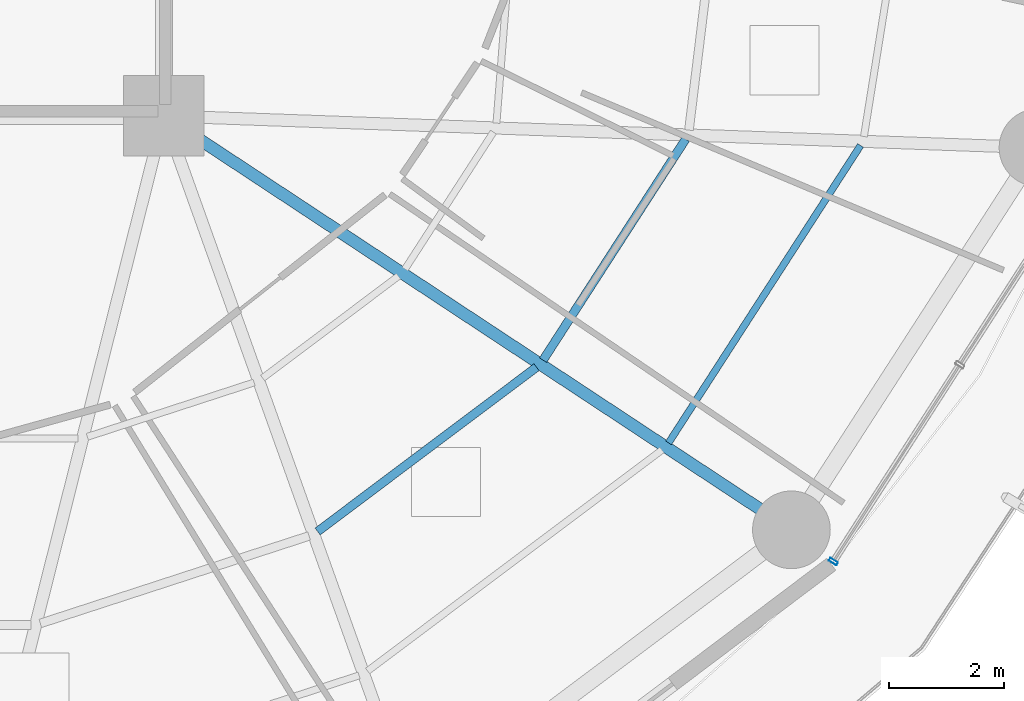
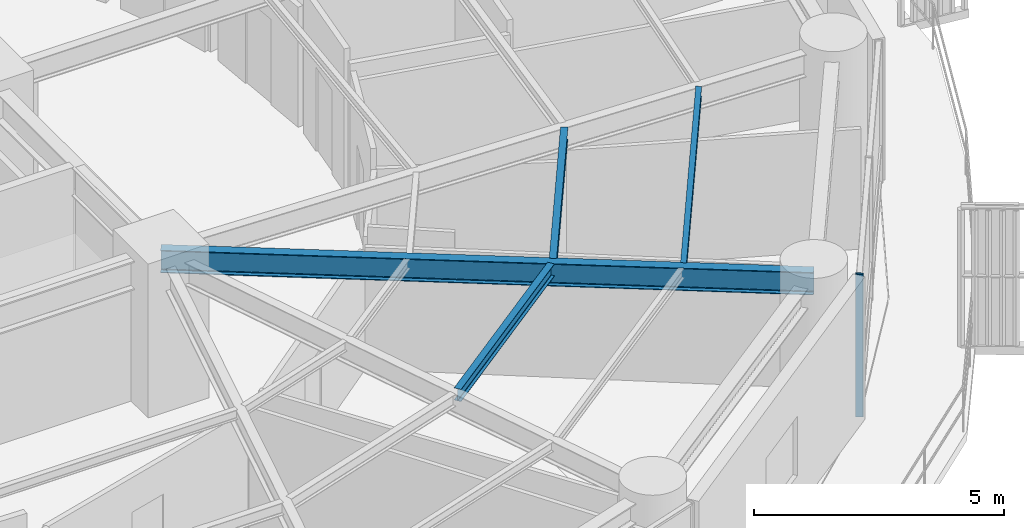
# One storey, part 10 of 33: 4 beams, 1 member, 1 element without a shape of its own.
"""IFC4 building model written with IfcOpenShell, lengths in metres."""

from ifc_helpers import new_model, si_unit, direction, frame, origin, origin_2d, place, context, subcontext, project, spatial, hollow_rectangle, i_section, extrude, material, layer, layer_set, material_profile, profile_set, type_object, element, aggregate, save


model = new_model("IFC4")

# Units and contexts
model_context = context("Model", 3, precision=1e-05, world=origin(), true_north=direction((0.0, 1.0)))
body_context = subcontext(model_context, "Body", "Model", "MODEL_VIEW")
ifc_project = project(units=[si_unit("LENGTHUNIT", "METRE"), si_unit("AREAUNIT", "SQUARE_METRE"), si_unit("VOLUMEUNIT", "CUBIC_METRE"), si_unit("PLANEANGLEUNIT", "RADIAN"), si_unit("MASSUNIT", "GRAM", prefix="KILO")], contexts=[model_context])

# Site, building, storey
site_placement = place(None, origin())
site = spatial("IfcSite", under=ifc_project, at=site_placement, CompositionType="ELEMENT")
building_placement = place(site_placement, origin())
building = spatial("IfcBuilding", under=site, at=building_placement, Name="Kelanora Arch Commons", CompositionType="ELEMENT")
storey_placement = place(building_placement, frame((0.0, 0.0, 80.10009765625)))
storey = spatial("IfcBuildingStorey", under=building, at=storey_placement, Name="L20", CompositionType="ELEMENT", Elevation=80.10009765625)

# Beams
ifc_material_1 = material(Name="Steel S355", Category="steel")
ifc_material_profile_1 = material_profile(ifc_material_1, i_section(OverallWidth=0.14990234375, OverallDepth=0.300048828125, WebThickness=0.007080078125, FlangeThickness=0.0107421875, FilletRadius=0.014892578125, at=origin_2d()), Name="IPE300")
ifc_profile_set_1 = profile_set([ifc_material_profile_1], Name="Steel S355")
beam_type_1 = type_object("IfcBeamType", Name="BM-JST-01", PredefinedType="JOIST", material=ifc_profile_set_1)
beam_1_placement = place(storey_placement, frame((84.672119140625, 43.77783203125, 3.33984375), z_axis=(0.79971039107, 0.600385951214, 0.0), x_axis=(-0.600385951214, 0.79971039107, 0.0)))
element("IfcBeam", 1, at=beam_1_placement, inside=storey, type_object=beam_type_1, Name="Secondary Chord Joist BJB-30 L20", PredefinedType="JOIST", context=body_context, shape_type="SweptSolid", body=[
    extrude(i_section(OverallWidth=0.14990234375, OverallDepth=0.300048828125, WebThickness=0.007080078125, FlangeThickness=0.0107421875, FilletRadius=0.014892578125, at=origin_2d()), origin(), (0.0, 0.0, 1.0), 4.756103515625),
])
beam_2_placement = place(storey_placement, frame((88.589599609375, 46.755615234375, 3.33984375), z_axis=(0.542230243286, 0.840229946661, 0.0), x_axis=(-0.840229946661, 0.542230243286, 0.0)))
element("IfcBeam", 2, at=beam_2_placement, inside=storey, type_object=beam_type_1, Name="Secondary Chord Joist BJB-32 L20", PredefinedType="JOIST", context=body_context, shape_type="SweptSolid", body=[
    extrude(i_section(OverallWidth=0.14990234375, OverallDepth=0.300048828125, WebThickness=0.007080078125, FlangeThickness=0.0107421875, FilletRadius=0.014892578125, at=origin_2d()), origin(), (0.0, 0.0, 1.0), 4.572265625),
])
ifc_material_profile_2 = material_profile(ifc_material_1, i_section(OverallWidth=0.1201171875, OverallDepth=0.239990234375, WebThickness=0.006103515625, FlangeThickness=0.009765625, FilletRadius=0.014892578125, at=origin_2d()), Name="IPE240")
ifc_profile_set_2 = profile_set([ifc_material_profile_2], Name="Steel S355")
beam_type_2 = type_object("IfcBeamType", Name="BM-JST-02", PredefinedType="JOIST", material=ifc_profile_set_2)
beam_3_placement = place(storey_placement, frame((90.77099609375, 45.317138671875, 3.369873046875), z_axis=(0.542212726273, 0.840241250754, 0.0), x_axis=(-0.840241250754, 0.542212726273, 0.0)))
element("IfcBeam", 3, at=beam_3_placement, inside=storey, type_object=beam_type_2, Name="Secondary Chord Joist BJC-32 L20", PredefinedType="JOIST", context=body_context, shape_type="SweptSolid", body=[
    extrude(i_section(OverallWidth=0.1201171875, OverallDepth=0.239990234375, WebThickness=0.006103515625, FlangeThickness=0.009765625, FilletRadius=0.014892578125, at=origin_2d()), origin(), (0.0, 0.0, 1.0), 6.15283203125),
])
ifc_material_profile_3 = material_profile(ifc_material_1, i_section(OverallWidth=0.2099609375, OverallDepth=0.550048828125, WebThickness=0.010986328125, FlangeThickness=0.01708984375, FilletRadius=0.02392578125, at=origin_2d()), Name="IPE550")
ifc_profile_set_3 = profile_set([ifc_material_profile_3], Name="Steel S355")
beam_type_3 = type_object("IfcBeamType", Name="BM-RAD-Z2", PredefinedType="BEAM", material=ifc_profile_set_3)
beam_4_placement = place(storey_placement, frame((82.0, 51.0, 3.21484375), z_axis=(0.834788577908, -0.550570640512, 0.0), x_axis=(0.550570640512, 0.834788577908, 0.0)))
element("IfcBeam", 4, at=beam_4_placement, inside=storey, type_object=beam_type_3, Name="Radial Floor Girder BR-32 L20", PredefinedType="BEAM", context=body_context, shape_type="SweptSolid", body=[
    extrude(i_section(OverallWidth=0.2099609375, OverallDepth=0.550048828125, WebThickness=0.010986328125, FlangeThickness=0.01708984375, FilletRadius=0.02392578125, at=origin_2d()), origin(), (0.0, 0.0, 1.0), 13.064453125),
])

# Curtain wall, member
ifc_material_2 = material(Name="Terracotta ceramic-fritted low-E glass and aluminium", Category="masonry")
ifc_layer = layer(ifc_material_2, 0.159912109375)
ifc_layer_set = layer_set([ifc_layer], Name="Terracotta ceramic-fritted low-E glass and aluminium")
curtain_wall_type = type_object("IfcCurtainWallType", Name="CW-SYS-01", PredefinedType="NOTDEFINED", material=ifc_layer_set)
curtain_wall_placement = place(storey_placement, origin())
curtain_wall = element("IfcCurtainWall", 5, at=curtain_wall_placement, inside=storey, type_object=curtain_wall_type, Name="Unitised Curtain Wall L20-B16", PredefinedType="NOTDEFINED")
ifc_material_3 = material(Name="Powder-coated aluminium terracotta", Category="masonry")
ifc_material_profile_4 = material_profile(ifc_material_3, hollow_rectangle(XDim=0.159912109375, YDim=0.06005859375, WallThickness=0.0048828125, InnerFilletRadius=0.0048828125, OuterFilletRadius=0.010009765625, at=origin_2d()), Name="CWM160x60")
ifc_profile_set_4 = profile_set([ifc_material_profile_4], Name="Powder-coated aluminium terracotta")
member_type = type_object("IfcMemberType", Name="CWM-STD", PredefinedType="MULLION", material=ifc_profile_set_4)
member_placement = place(storey_placement, frame((93.635009765625, 43.253662109375, 0.0), z_axis=(0.0, 0.0, 1.0), x_axis=(-0.841268883088, 0.540616931244, 0.0)))
member = element("IfcMember", 6, at=member_placement, type_object=member_type, Name="CW-01 mullion 1", PredefinedType="MULLION", context=body_context, shape_type="SweptSolid", body=[
    extrude(hollow_rectangle(XDim=0.159912109375, YDim=0.06005859375, WallThickness=0.0048828125, InnerFilletRadius=0.0048828125, OuterFilletRadius=0.010009765625, at=origin_2d()), origin(), (0.0, 0.0, 1.0), 3.474853515625),
])
aggregate(curtain_wall, [member])

save(model, "model.ifc")
